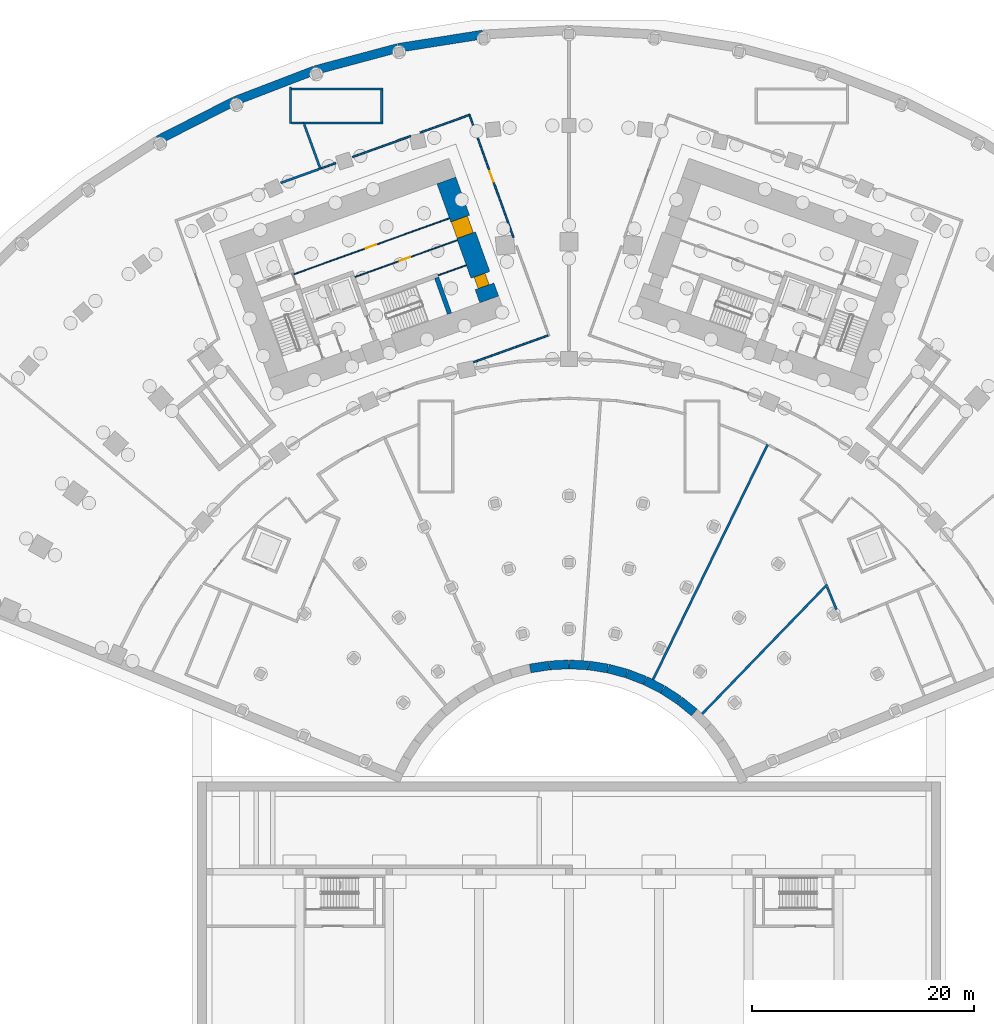
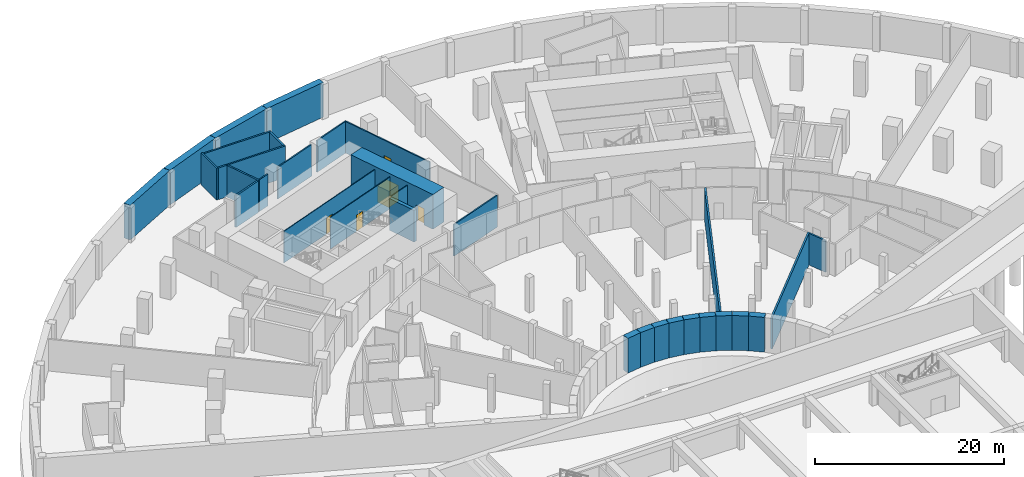
# One storey, part 11 of 25: 33 walls, 5 doors, 5 openings.
"""IFC4 building model written with IfcOpenShell, lengths in metres."""

from ifc_helpers import new_model, si_unit, direction, frame, frame_2d, origin, place, context, subcontext, project, spatial, rectangle, extrude, material, layer, layer_set, type_object, element, fill, save


model = new_model("IFC4")

# Units and contexts
model_context = context("Model", 3, precision=1e-05, world=origin(), true_north=direction((0.0, 1.0)))
body_context = subcontext(model_context, "Body", "Model", "MODEL_VIEW")
ifc_project = project(units=[si_unit("LENGTHUNIT", "METRE"), si_unit("AREAUNIT", "SQUARE_METRE"), si_unit("VOLUMEUNIT", "CUBIC_METRE"), si_unit("PLANEANGLEUNIT", "RADIAN"), si_unit("MASSUNIT", "GRAM", prefix="KILO")], contexts=[model_context])

# Site, building, storey
site_placement = place(None, origin())
site = spatial("IfcSite", under=ifc_project, at=site_placement, CompositionType="ELEMENT")
building_placement = place(site_placement, origin())
building = spatial("IfcBuilding", under=site, at=building_placement, Name="Stone Belt Terrace Tower", CompositionType="ELEMENT")
storey_placement = place(building_placement, frame((0.0, 0.0, -13.5)))
storey = spatial("IfcBuildingStorey", under=building, at=storey_placement, Name="B3", CompositionType="ELEMENT", Elevation=-13.5)

# Walls
ifc_material_1 = material(Name="Concrete B30", Category="concrete")
ifc_layer_1 = layer(ifc_material_1, 0.800048828125)
ifc_layer_set_1 = layer_set([ifc_layer_1], Name="Basement wall 800 B30")
wall_type_1 = type_object("IfcWallType", Name="Basement wall 800 B30", PredefinedType="SHEAR", material=ifc_layer_set_1)
for number, where, z_axis, x_axis, name in (
    (1, (-3.4931640625, 16.534423828125, 0.0), (0.0, 0.0, 1.0), (0.987680303549, 0.156485200519, 0.0), "Basement wall B3 10"),
    (2, (-1.74560546875, 16.80908203125, 0.0), (0.0, 0.0, 1.0), (0.998631075224, 0.052306554053, 0.0), "Basement wall B3 11"),
    (3, (0.02099609375, 16.8994140625, 0.0), (0.0, 0.0, 1.0), (0.998631075224, -0.052306554053, 0.0), "Basement wall B3 12"),
    (4, (1.787353515625, 16.8046875, 0.0), (0.0, 0.0, 1.0), (0.987680303549, -0.156485200519, 0.0), "Basement wall B3 13"),
    (5, (3.5341796875, 16.52587890625, 0.0), (0.0, 0.0, 1.0), (0.965922180197, -0.258832652121, 0.0), "Basement wall B3 14"),
    (6, (5.2421875, 16.06591796875, 0.0), (0.0, 0.0, 1.0), (0.933582227874, -0.358363256763, 0.0), "Basement wall B3 15"),
    (7, (6.892822265625, 15.429931640625, 0.0), (0.0, 0.0, 1.0), (0.890980157198, -0.454042244157, 0.0), "Basement wall B3 16"),
    (8, (8.468017578125, 14.625, 0.0), (0.0, 0.0, 1.0), (0.83855986691, -0.544809461745, 0.0), "Basement wall B3 17"),
    (9, (9.9501953125, 13.65966796875, 0.0), (0.0, 0.0, 1.0), (0.777159277127, -0.629303947211, 0.0), "Basement wall B3 18"),
):
    element("IfcWall", number, at=place(storey_placement, frame(where, z_axis=z_axis, x_axis=x_axis)), inside=storey, type_object=wall_type_1, Name=name, PredefinedType="SHEAR", context=body_context, shape_type="SweptSolid", body=[
        extrude(rectangle(XDim=1.72705078125, YDim=0.800048828125, at=frame_2d((0.863525390625, 0.0))), origin(), (0.0, 0.0, 1.0), 4.5),
    ])
wall_1_placement = place(storey_placement, frame((-7.76611328125, 73.690185546875, 0.0), z_axis=(0.0, 0.0, 1.0), x_axis=(-0.987688438382, -0.156433847638, 0.0)))
element("IfcWall", 10, at=wall_1_placement, inside=storey, type_object=wall_type_1, Name="Basement wall B3 37", PredefinedType="SHEAR", context=body_context, shape_type="SweptSolid", body=[
    extrude(rectangle(XDim=7.71435546875, YDim=0.800048828125, at=frame_2d((3.857177734375, 0.0))), origin(), (0.0, 0.0, 1.0), 4.5),
])
wall_2_placement = place(storey_placement, frame((-15.426513671875, 72.474853515625, 0.0), z_axis=(0.0, 0.0, 1.0), x_axis=(-0.965924317831, -0.25882467468, 0.0)))
element("IfcWall", 11, at=wall_2_placement, inside=storey, type_object=wall_type_1, Name="Basement wall B3 38", PredefinedType="SHEAR", context=body_context, shape_type="SweptSolid", body=[
    extrude(rectangle(XDim=7.714111328125, YDim=0.800048828125, at=frame_2d((3.85693359375, 0.0))), origin(), (0.0, 0.0, 1.0), 4.5),
])
wall_3_placement = place(storey_placement, frame((-22.91748046875, 70.46533203125, 0.0), z_axis=(0.0, 0.0, 1.0), x_axis=(-0.933576245877, -0.358378840243, 0.0)))
element("IfcWall", 12, at=wall_3_placement, inside=storey, type_object=wall_type_1, Name="Basement wall B3 39", PredefinedType="SHEAR", context=body_context, shape_type="SweptSolid", body=[
    extrude(rectangle(XDim=7.71435546875, YDim=0.800048828125, at=frame_2d((3.857177734375, 0.0))), origin(), (0.0, 0.0, 1.0), 4.5),
])
wall_4_placement = place(storey_placement, frame((-30.15771484375, 67.68359375, 0.0), z_axis=(0.0, 0.0, 1.0), x_axis=(-0.89100229919, -0.45399879167, 0.0)))
element("IfcWall", 13, at=wall_4_placement, inside=storey, type_object=wall_type_1, Name="Basement wall B3 40", PredefinedType="SHEAR", context=body_context, shape_type="SweptSolid", body=[
    extrude(rectangle(XDim=7.714111328125, YDim=0.800048828125, at=frame_2d((3.85693359375, 0.0))), origin(), (0.0, 0.0, 1.0), 4.5),
])

# Wall, opening, door
ifc_material_2 = material(Name="Plasterboard partition")
ifc_layer_2 = layer(ifc_material_2, 0.10009765625)
ifc_layer_set_2 = layer_set([ifc_layer_2], Name="Core partition 100")
wall_type_2 = type_object("IfcWallType", Name="Core partition 100", PredefinedType="PARTITIONING", material=ifc_layer_set_2)
wall_5_placement = place(storey_placement, frame((-24.847412109375, 52.061767578125, 0.0), z_axis=(0.0, 0.0, 1.0), x_axis=(0.940921131887, 0.338625786921, 0.0)))
wall_5 = element("IfcWall", 14, at=wall_5_placement, inside=storey, type_object=wall_type_2, Name="Core A wall", PredefinedType="PARTITIONING", context=body_context, shape_type="SweptSolid", body=[
    extrude(rectangle(XDim=14.9501953125, YDim=0.10009765625, at=frame_2d((7.47509765625, 0.0))), origin(), (0.0, 0.0, 1.0), 4.10009765625),
])
opening_1_placement = place(wall_5_placement, frame((6.949951171875, 0.0, 0.0)))
opening_1 = element("IfcOpeningElement", 15, at=opening_1_placement, cuts=wall_5, Name="Opening B3-C01", PredefinedType="OPENING", context=body_context, shape_type="SweptSolid", body=[
    extrude(rectangle(XDim=1.0, YDim=2.10009765625, at=frame_2d((0.5, 1.050048828125))), frame((0.0, 0.06005859375, 0.0), z_axis=(0.0, -1.0, 0.0), x_axis=(1.0, 0.0, 0.0)), (0.0, 0.0, 1.0), 0.1201171875),
])
ifc_material_3 = material(Name="Timber door leaf", Category="wood")
door_type_1 = type_object("IfcDoorType", Name="Core room door 1000", OperationType="SINGLE_SWING_LEFT", PredefinedType="DOOR", material=ifc_material_3)
door_1_placement = place(opening_1_placement, origin())
door_1 = element("IfcDoor", 16, at=door_1_placement, inside=storey, type_object=door_type_1, Name="Door to Chilled water pump room core A", OperationType="SINGLE_SWING_RIGHT", OverallHeight=2.10009765625, OverallWidth=1.0, PredefinedType="DOOR", context=body_context, shape_type="SweptSolid", body=[
    extrude(rectangle(XDim=1.0, YDim=2.10009765625, at=frame_2d((0.5, 1.050048828125))), frame((0.0, 0.02490234375, 0.0), z_axis=(0.0, -1.0, 0.0), x_axis=(1.0, 0.0, 0.0)), (0.0, 0.0, 1.0), 0.050048828125),
])
fill(opening_1, door_1)

wall_6_placement = place(storey_placement, frame((-19.29052734375, 51.829833984375, 0.0), z_axis=(0.0, 0.0, 1.0), x_axis=(0.940925833398, 0.338612722803, 0.0)))
wall_6 = element("IfcWall", 17, at=wall_6_placement, inside=storey, type_object=wall_type_2, Name="Core A wall", PredefinedType="PARTITIONING", context=body_context, shape_type="SweptSolid", body=[
    extrude(rectangle(XDim=9.7998046875, YDim=0.10009765625, at=frame_2d((4.89990234375, 0.0))), origin(), (0.0, 0.0, 1.0), 4.10009765625),
])
opening_2_placement = place(wall_6_placement, frame((4.300048828125, 0.0, 0.0)))
opening_2 = element("IfcOpeningElement", 18, at=opening_2_placement, cuts=wall_6, Name="Opening B3-C02", PredefinedType="OPENING", context=body_context, shape_type="SweptSolid", body=[
    extrude(rectangle(XDim=1.0, YDim=2.10009765625, at=frame_2d((0.5, 1.050048828125))), frame((0.0, 0.06005859375, 0.0), z_axis=(0.0, -1.0, 0.0), x_axis=(1.0, 0.0, 0.0)), (0.0, 0.0, 1.0), 0.1201171875),
])
door_2_placement = place(opening_2_placement, origin())
door_2 = element("IfcDoor", 19, at=door_2_placement, inside=storey, type_object=door_type_1, Name="Door to Fire pump room core A", OperationType="SINGLE_SWING_RIGHT", OverallHeight=2.10009765625, OverallWidth=1.0, PredefinedType="DOOR", context=body_context, shape_type="SweptSolid", body=[
    extrude(rectangle(XDim=1.0, YDim=2.10009765625, at=frame_2d((0.5, 1.050048828125))), frame((0.0, 0.02490234375, 0.0), z_axis=(0.0, -1.0, 0.0), x_axis=(1.0, 0.0, 0.0)), (0.0, 0.0, 1.0), 0.050048828125),
])
fill(opening_2, door_2)

# Wall
wall_7_placement = place(storey_placement, frame((-11.797119140625, 51.975830078125, 0.0), z_axis=(0.0, 0.0, 1.0), x_axis=(0.940910465161, 0.33865542451, 0.0)))
element("IfcWall", 20, at=wall_7_placement, inside=storey, type_object=wall_type_2, Name="Core A wall", PredefinedType="PARTITIONING", context=body_context, shape_type="SweptSolid", body=[
    extrude(rectangle(XDim=2.69970703125, YDim=0.10009765625, at=frame_2d((1.349853515625, 0.0))), origin(), (0.0, 0.0, 1.0), 4.10009765625),
])

# Wall, openings, doors
ifc_material_4 = material(Name="Concrete B80", Category="concrete")
ifc_layer_3 = layer(ifc_material_4, 1.800048828125)
ifc_layer_set_3 = layer_set([ifc_layer_3], Name="Core wall 1800 B80")
wall_type_3 = type_object("IfcWallType", Name="Core wall 1800 B80", PredefinedType="SHEAR", material=ifc_layer_set_3)
wall_8_placement = place(storey_placement, frame((-7.19091796875, 49.8076171875, 0.0), z_axis=(0.0, 0.0, 1.0), x_axis=(-0.338632255135, 0.940918804033, 0.0)))
wall_8 = element("IfcWall", 21, at=wall_8_placement, inside=storey, type_object=wall_type_3, Name="Core A wall end_b B3", PredefinedType="SHEAR", context=body_context, shape_type="SweptSolid", body=[
    extrude(rectangle(XDim=11.39990234375, YDim=1.800048828125, at=frame_2d((5.699951171875, 0.0))), origin(), (0.0, 0.0, 1.0), 4.5),
])
opening_3_placement = place(wall_8_placement, frame((6.14990234375, 0.0, 0.0)))
opening_3 = element("IfcOpeningElement", 22, at=opening_3_placement, cuts=wall_8, Name="Opening B3-C04", PredefinedType="OPENING", context=body_context, shape_type="SweptSolid", body=[
    extrude(rectangle(XDim=1.60009765625, YDim=2.10009765625, at=frame_2d((0.800048828125, 1.050048828125))), frame((0.0, 0.909912109375, 0.0), z_axis=(0.0, -1.0, 0.0), x_axis=(1.0, 0.0, 0.0)), (0.0, 0.0, 1.0), 1.820068359375),
])
opening_4_placement = place(wall_8_placement, frame((1.25, 0.0, 0.0)))
opening_4 = element("IfcOpeningElement", 23, at=opening_4_placement, cuts=wall_8, Name="Opening B3-C10", PredefinedType="OPENING", context=body_context, shape_type="SweptSolid", body=[
    extrude(rectangle(XDim=1.10009765625, YDim=2.10009765625, at=frame_2d((0.550048828125, 1.050048828125))), frame((0.0, 0.909912109375, 0.0), z_axis=(0.0, -1.0, 0.0), x_axis=(1.0, 0.0, 0.0)), (0.0, 0.0, 1.0), 1.820068359375),
])
door_type_2 = type_object("IfcDoorType", Name="Core room door 1100", OperationType="SINGLE_SWING_LEFT", PredefinedType="DOOR", material=ifc_material_3)
door_3_placement = place(opening_4_placement, origin())
door_3 = element("IfcDoor", 24, at=door_3_placement, inside=storey, type_object=door_type_2, Name="Door to Switch room core A", OperationType="SINGLE_SWING_RIGHT", OverallHeight=2.10009765625, OverallWidth=1.10009765625, PredefinedType="DOOR", context=body_context, shape_type="SweptSolid", body=[
    extrude(rectangle(XDim=1.10009765625, YDim=2.10009765625, at=frame_2d((0.550048828125, 1.050048828125))), frame((0.0, 0.60498046875, 0.0), z_axis=(0.0, -1.0, 0.0), x_axis=(1.0, 0.0, 0.0)), (0.0, 0.0, 1.0), 1.050048828125),
])
fill(opening_4, door_3)
ifc_material_5 = material(Name="Glazed aluminium door leaf", Category="aluminium")
door_type_3 = type_object("IfcDoorType", Name="Lift lobby entrance door 1600", OperationType="DOUBLE_DOOR_SINGLE_SWING", PredefinedType="DOOR", material=ifc_material_5)
door_4_placement = place(opening_3_placement, origin())
door_4 = element("IfcDoor", 25, at=door_4_placement, inside=storey, type_object=door_type_3, Name="Lift lobby entrance door core A", OperationType="DOUBLE_DOOR_SINGLE_SWING", OverallHeight=2.10009765625, OverallWidth=1.60009765625, PredefinedType="DOOR", context=body_context, shape_type="SweptSolid", body=[
    extrude(rectangle(XDim=1.60009765625, YDim=2.10009765625, at=frame_2d((0.800048828125, 1.050048828125))), frame((0.0, 0.85498046875, 0.0), z_axis=(0.0, -1.0, 0.0), x_axis=(1.0, 0.0, 0.0)), (0.0, 0.0, 1.0), 1.550048828125),
])
fill(opening_3, door_4)

# Walls
ifc_material_6 = material(Name="Blockwork wall, plastered both faces", Category="masonry")
ifc_layer_4 = layer(ifc_material_6, 0.199951171875)
ifc_layer_set_4 = layer_set([ifc_layer_4], Name="Podium demising wall 200")
wall_type_4 = type_object("IfcWallType", Name="Podium demising wall 200", PredefinedType="PARTITIONING", material=ifc_layer_set_4)
wall_9_placement = place(storey_placement, frame((-25.98828125, 60.312744140625, 0.0), z_axis=(0.0, 0.0, 1.0), x_axis=(0.940969134599, 0.338492374703, 0.0)))
element("IfcWall", 26, at=wall_9_placement, inside=storey, type_object=wall_type_4, Name="Podium demising wall 200", PredefinedType="PARTITIONING", context=body_context, shape_type="SweptSolid", body=[
    extrude(rectangle(XDim=3.69287109375, YDim=0.199951171875, at=frame_2d((1.846435546875, 0.0))), origin(), (0.0, 0.0, 1.0), 4.10009765625),
])
wall_10_placement = place(storey_placement, frame((-23.871337890625, 65.586181640625, 0.0), z_axis=(0.0, 0.0, 1.0), x_axis=(0.342133524404, -0.939651345702, 0.0)))
element("IfcWall", 27, at=wall_10_placement, inside=storey, type_object=wall_type_4, Name="Podium demising wall 200", PredefinedType="PARTITIONING", context=body_context, shape_type="SweptSolid", body=[
    extrude(rectangle(XDim=4.317138671875, YDim=0.199951171875, at=frame_2d((2.15869140625, 0.0))), origin(), (0.0, 0.0, 1.0), 4.10009765625),
])
wall_11_placement = place(storey_placement, frame((7.580810546875, 15.53173828125, 0.0), z_axis=(0.0, 0.0, 1.0), x_axis=(0.438200154905, 0.898877424481, 0.0)))
element("IfcWall", 28, at=wall_11_placement, inside=storey, type_object=wall_type_4, Name="Podium demising wall 200", PredefinedType="PARTITIONING", context=body_context, shape_type="SweptSolid", body=[
    extrude(rectangle(XDim=23.570068359375, YDim=0.199951171875, at=frame_2d((11.78515625, 0.0))), origin(), (0.0, 0.0, 1.0), 4.10009765625),
])
wall_12_placement = place(storey_placement, frame((12.004150390625, 12.434326171875, 0.0), z_axis=(0.0, 0.0, 1.0), x_axis=(0.694926519677, 0.719080755026, 0.0)))
element("IfcWall", 29, at=wall_12_placement, inside=storey, type_object=wall_type_4, Name="Podium demising wall 200", PredefinedType="PARTITIONING", context=body_context, shape_type="SweptSolid", body=[
    extrude(rectangle(XDim=16.242919921875, YDim=0.199951171875, at=frame_2d((8.12158203125, 0.0))), origin(), (0.0, 0.0, 1.0), 4.10009765625),
])
wall_13_placement = place(storey_placement, frame((23.273681640625, 23.89453125, 0.0), z_axis=(0.0, 0.0, 1.0), x_axis=(0.379238913668, -0.925298787614, 0.0)))
element("IfcWall", 30, at=wall_13_placement, inside=storey, type_object=wall_type_4, Name="Podium demising wall 200", PredefinedType="PARTITIONING", context=body_context, shape_type="SweptSolid", body=[
    extrude(rectangle(XDim=2.21142578125, YDim=0.199951171875, at=frame_2d((1.105712890625, 0.0))), origin(), (0.0, 0.0, 1.0), 4.10009765625),
])
ifc_material_7 = material(Name="Gypsum board on steel stud partition", Category="steel")
ifc_layer_5 = layer(ifc_material_7, 0.14990234375)
ifc_layer_set_5 = layer_set([ifc_layer_5], Name="Podium partition 150")
wall_type_5 = type_object("IfcWallType", Name="Podium partition 150", PredefinedType="PARTITIONING", material=ifc_layer_set_5)
wall_14_placement = place(storey_placement, frame((-22.325927734375, 61.6337890625, 0.0), z_axis=(0.0, 0.0, 1.0), x_axis=(0.940826550095, 0.338888481122, 0.0)))
element("IfcWall", 31, at=wall_14_placement, inside=storey, type_object=wall_type_5, Name="Podium partition 150", PredefinedType="PARTITIONING", context=body_context, shape_type="SweptSolid", body=[
    extrude(rectangle(XDim=1.381103515625, YDim=0.14990234375, at=frame_2d((0.6904296875, 0.0))), origin(), (0.0, 0.0, 1.0), 4.10009765625),
])
wall_15_placement = place(storey_placement, frame((-19.51318359375, 62.646728515625, 0.0), z_axis=(0.0, 0.0, 1.0), x_axis=(0.940840486933, 0.338849786996, 0.0)))
element("IfcWall", 32, at=wall_15_placement, inside=storey, type_object=wall_type_5, Name="Podium partition 150", PredefinedType="PARTITIONING", context=body_context, shape_type="SweptSolid", body=[
    extrude(rectangle(XDim=5.572265625, YDim=0.14990234375, at=frame_2d((2.7861328125, 0.0))), origin(), (0.0, 0.0, 1.0), 4.10009765625),
])
wall_16_placement = place(storey_placement, frame((-13.41552734375, 64.842529296875, 0.0), z_axis=(0.0, 0.0, 1.0), x_axis=(0.940847116124, 0.338831380012, 0.0)))
element("IfcWall", 33, at=wall_16_placement, inside=storey, type_object=wall_type_5, Name="Podium partition 150", PredefinedType="PARTITIONING", context=body_context, shape_type="SweptSolid", body=[
    extrude(rectangle(XDim=4.789306640625, YDim=0.14990234375, at=frame_2d((2.39453125, 0.0))), origin(), (0.0, 0.0, 1.0), 4.10009765625),
])

# Wall, opening, door
wall_17_placement = place(storey_placement, frame((-8.95458984375, 66.369384765625, 0.0), z_axis=(0.0, 0.0, 1.0), x_axis=(0.338743185724, -0.940878873249, 0.0)))
wall_17 = element("IfcWall", 34, at=wall_17_placement, inside=storey, type_object=wall_type_5, Name="Podium partition 150", PredefinedType="PARTITIONING", context=body_context, shape_type="SweptSolid", body=[
    extrude(rectangle(XDim=11.664306640625, YDim=0.14990234375, at=frame_2d((5.83203125, 0.0))), origin(), (0.0, 0.0, 1.0), 4.10009765625),
])
opening_5_placement = place(wall_17_placement, frame((5.33203125, 0.0, 0.0)))
opening_5 = element("IfcOpeningElement", 35, at=opening_5_placement, cuts=wall_17, Name="Opening B3-P11", PredefinedType="OPENING", context=body_context, shape_type="SweptSolid", body=[
    extrude(rectangle(XDim=1.0, YDim=2.10009765625, at=frame_2d((0.5, 1.050048828125))), frame((0.0, 0.0849609375, 0.0), z_axis=(0.0, -1.0, 0.0), x_axis=(1.0, 0.0, 0.0)), (0.0, 0.0, 1.0), 0.169921875),
])
ifc_material_8 = material(Name="Steel framed door leaf", Category="steel")
door_type_4 = type_object("IfcDoorType", Name="Podium door single 1000", OperationType="SINGLE_SWING_LEFT", PredefinedType="DOOR", material=ifc_material_8)
door_5_placement = place(opening_5_placement, origin())
door_5 = element("IfcDoor", 36, at=door_5_placement, inside=storey, type_object=door_type_4, Name="Podium door single 1000", OperationType="SINGLE_SWING_LEFT", OverallHeight=2.10009765625, OverallWidth=1.0, PredefinedType="DOOR", context=body_context, shape_type="SweptSolid", body=[
    extrude(rectangle(XDim=1.0, YDim=2.10009765625, at=frame_2d((0.5, 1.050048828125))), frame((0.0, 0.02490234375, 0.0), z_axis=(0.0, -1.0, 0.0), x_axis=(1.0, 0.0, 0.0)), (0.0, 0.0, 1.0), 0.050048828125),
])
fill(opening_5, door_5)

# Walls
wall_18_placement = place(storey_placement, frame((-8.602294921875, 44.150146484375, 0.0), z_axis=(0.0, 0.0, 1.0), x_axis=(0.941247501468, 0.337717546155, 0.0)))
element("IfcWall", 37, at=wall_18_placement, inside=storey, type_object=wall_type_5, Name="Podium partition 150", PredefinedType="PARTITIONING", context=body_context, shape_type="SweptSolid", body=[
    extrude(rectangle(XDim=7.119873046875, YDim=0.14990234375, at=frame_2d((3.56005859375, 0.0))), origin(), (0.0, 0.0, 1.0), 4.10009765625),
])
ifc_layer_6 = layer(ifc_material_1, 0.199951171875)
ifc_layer_set_6 = layer_set([ifc_layer_6], Name="Podium stair and shaft wall 200")
wall_type_6 = type_object("IfcWallType", Name="Podium stair and shaft wall 200", PredefinedType="SOLIDWALL", material=ifc_layer_set_6)
wall_19_placement = place(storey_placement, frame((-25.110107421875, 65.657958984375, 0.0), z_axis=(0.0, 0.0, 1.0), x_axis=(0.0, 1.0, 0.0)))
element("IfcWall", 38, at=wall_19_placement, inside=storey, type_object=wall_type_6, Name="Podium stair and shaft wall 200", PredefinedType="SOLIDWALL", context=body_context, shape_type="SweptSolid", body=[
    extrude(rectangle(XDim=3.3203125, YDim=0.199951171875, at=frame_2d((1.66015625, 0.0))), origin(), (0.0, 0.0, 1.0), 4.10009765625),
])
wall_20_placement = place(storey_placement, frame((-25.010009765625, 65.719970703125, 0.0), z_axis=(0.0, 0.0, 1.0), x_axis=(1.0, 0.0, 0.0)))
element("IfcWall", 39, at=wall_20_placement, inside=storey, type_object=wall_type_6, Name="Podium stair and shaft wall 200", PredefinedType="SOLIDWALL", context=body_context, shape_type="SweptSolid", body=[
    extrude(rectangle(XDim=1.078369140625, YDim=0.199951171875, at=frame_2d((0.5390625, 0.0))), origin(), (0.0, 0.0, 1.0), 4.10009765625),
])
wall_21_placement = place(storey_placement, frame((-25.0400390625, 68.780029296875, 0.0), z_axis=(0.0, 0.0, 1.0), x_axis=(1.0, 0.0, 0.0)))
element("IfcWall", 40, at=wall_21_placement, inside=storey, type_object=wall_type_6, Name="Podium stair and shaft wall 200", PredefinedType="SOLIDWALL", context=body_context, shape_type="SweptSolid", body=[
    extrude(rectangle(XDim=8.25, YDim=0.199951171875, at=frame_2d((4.125, 0.0))), origin(), (0.0, 0.0, 1.0), 4.10009765625),
])
wall_22_placement = place(storey_placement, frame((-23.929931640625, 65.719970703125, 0.0), z_axis=(0.0, 0.0, 1.0), x_axis=(1.0, 0.0, 0.0)))
element("IfcWall", 41, at=wall_22_placement, inside=storey, type_object=wall_type_6, Name="Podium stair and shaft wall 200", PredefinedType="SOLIDWALL", context=body_context, shape_type="SweptSolid", body=[
    extrude(rectangle(XDim=7.139892578125, YDim=0.199951171875, at=frame_2d((3.56982421875, 0.0))), origin(), (0.0, 0.0, 1.0), 4.10009765625),
])
wall_23_placement = place(storey_placement, frame((-16.889892578125, 65.820068359375, 0.0), z_axis=(0.0, 0.0, 1.0), x_axis=(0.0, 1.0, 0.0)))
element("IfcWall", 42, at=wall_23_placement, inside=storey, type_object=wall_type_6, Name="Podium stair and shaft wall 200", PredefinedType="SOLIDWALL", context=body_context, shape_type="SweptSolid", body=[
    extrude(rectangle(XDim=2.85986328125, YDim=0.199951171875, at=frame_2d((1.429931640625, 0.0))), origin(), (0.0, 0.0, 1.0), 4.10009765625),
])
ifc_layer_7 = layer(ifc_material_4, 0.39990234375)
ifc_layer_set_7 = layer_set([ifc_layer_7], Name="Stair enclosure wall 400")
wall_type_7 = type_object("IfcWallType", Name="Stair enclosure wall 400", PredefinedType="SHEAR", material=ifc_layer_set_7)
wall_24_placement = place(storey_placement, frame((-10.766357421875, 48.520751953125, 0.0), z_axis=(0.0, 0.0, 1.0), x_axis=(-0.338621735342, 0.94092258999, 0.0)))
element("IfcWall", 43, at=wall_24_placement, inside=storey, type_object=wall_type_7, Name="Core A wall", PredefinedType="SHEAR", context=body_context, shape_type="SweptSolid", body=[
    extrude(rectangle(XDim=3.449951171875, YDim=0.39990234375, at=frame_2d((1.72509765625, 0.0))), origin(), (0.0, 0.0, 1.0), 4.10009765625),
])

save(model, "model.ifc")
